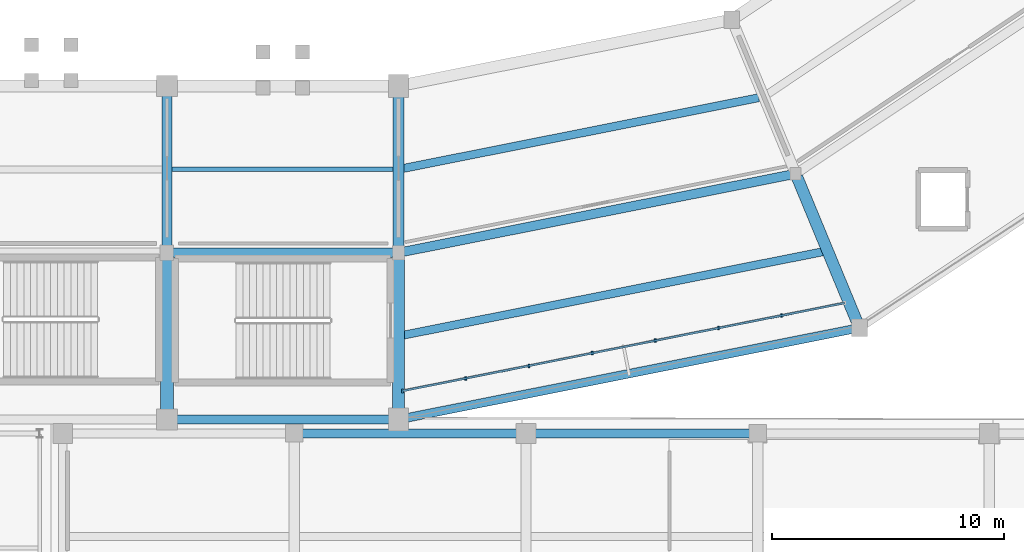
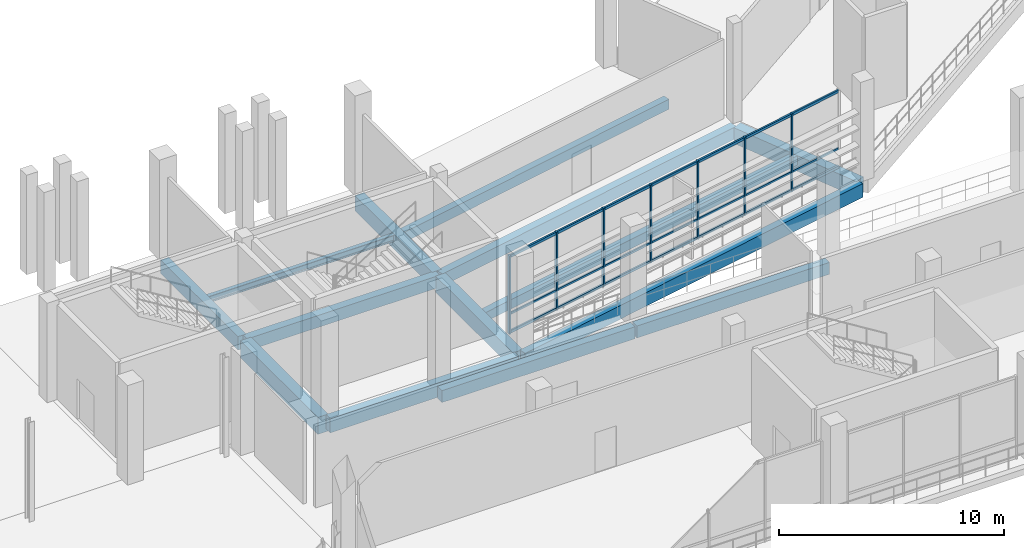
# One storey, part 34 of 114: 14 beams, 10 members, 1 element without a shape of its own.
"""IFC4 building model written with IfcOpenShell, lengths in metres."""

import ifcopenshell
import ifcopenshell.guid

model = None  # the IFC model being written
_history = None  # IfcOwnerHistory: only IFC2X3 demands one
_inside = {}  # id of a spatial element -> (the spatial element, [elements in it])
_under = {}  # id of a project, library or spatial element -> (it, [spatial elements below it])
_declared = {}  # id of a project -> (the project, [libraries it declares])
_typed = {}  # id of a type object -> (the type object, [elements of that type])
_made_of = {}  # id of a material, layer set ... -> (it, [elements and type objects made of it])


def new_model(schema):
    """Start an empty IFC model of exactly this schema.

    Asked for "IFC4X3", IfcOpenShell would pick the latest addendum, in which some entities
    have other attributes; the version numbers below select the first issue.
    IFC2X3 requires an IfcOwnerHistory on every rooted entity: one is made here for all.
    """
    global model, _history
    if schema == "IFC4X3":
        model = ifcopenshell.file(schema_version=(4, 3, 0, 0))
    else:
        model = ifcopenshell.file(schema=schema)
    _inside.clear()
    _under.clear()
    _declared.clear()
    _typed.clear()
    _made_of.clear()
    _history = None
    if model.schema == "IFC2X3":
        org = make("IfcOrganization", Name="unknown")
        user = make(
            "IfcPersonAndOrganization",
            ThePerson=make("IfcPerson", FamilyName="unknown"),
            TheOrganization=org,
        )
        app = make(
            "IfcApplication",
            ApplicationDeveloper=org,
            Version="unknown",
            ApplicationFullName="unknown",
            ApplicationIdentifier="unknown",
        )
        _history = make(
            "IfcOwnerHistory",
            OwningUser=user,
            OwningApplication=app,
            ChangeAction="ADDED",
            CreationDate=0,
        )
    return model


def make(cls, **values):
    """One entity of the class cls with the attributes given. An attribute that is None is left unset."""
    return model.create_entity(
        cls, **{name: value for name, value in values.items() if value is not None}
    )


def rooted(cls, **values):
    """An entity with a GlobalId (a new one), such as an element, a storey or a relation."""
    return make(cls, GlobalId=ifcopenshell.guid.new(), OwnerHistory=_history, **values)


def si_unit(unit_type, name, prefix=None):
    """IfcSIUnit, for example si_unit("LENGTHUNIT", "METRE", prefix="MILLI")."""
    return make("IfcSIUnit", UnitType=unit_type, Prefix=prefix, Name=name)


def assignment(units):
    """IfcUnitAssignment: the units of a project."""
    return None if units is None else make("IfcUnitAssignment", Units=units)


def point(xyz):
    """IfcCartesianPoint."""
    return None if xyz is None else make("IfcCartesianPoint", Coordinates=xyz)


def direction(xyz):
    """IfcDirection."""
    return None if xyz is None else make("IfcDirection", DirectionRatios=xyz)


def frame(location, z_axis=None, x_axis=None):
    """IfcAxis2Placement3D, a coordinate frame: its origin and axes. An axis left out is left unset."""
    return make(
        "IfcAxis2Placement3D",
        Location=point(location),
        Axis=direction(z_axis),
        RefDirection=direction(x_axis),
    )


def frame_2d(location, x_axis=None):
    """IfcAxis2Placement2D, a coordinate frame in the plane: its origin and x axis."""
    return make(
        "IfcAxis2Placement2D", Location=point(location), RefDirection=direction(x_axis)
    )


def origin():
    """The frame at (0, 0, 0) with its axes left unset."""
    return frame((0.0, 0.0, 0.0))


def origin_2d():
    """The frame at (0, 0) in the plane with its x axis left unset."""
    return frame_2d((0.0, 0.0))


def place(relative_to, where):
    """IfcLocalPlacement: puts the frame where relative to a parent placement (None: the world)."""
    return make(
        "IfcLocalPlacement", PlacementRelTo=relative_to, RelativePlacement=where
    )


def context(
    kind, dimensions, precision=None, world=None, true_north=None, identifier=None
):
    """IfcGeometricRepresentationContext, for example the 3D "Model" context."""
    return make(
        "IfcGeometricRepresentationContext",
        ContextIdentifier=identifier,
        ContextType=kind,
        CoordinateSpaceDimension=dimensions,
        Precision=precision,
        WorldCoordinateSystem=world,
        TrueNorth=true_north,
    )


def subcontext(parent, identifier, kind, view, scale=None):
    """IfcGeometricRepresentationSubContext, for example "Body" below "Model"."""
    return make(
        "IfcGeometricRepresentationSubContext",
        ContextIdentifier=identifier,
        ContextType=kind,
        ParentContext=parent,
        TargetScale=scale,
        TargetView=view,
    )


def project(units=None, contexts=None):
    """IfcProject with its units and contexts."""
    return rooted(
        "IfcProject",
        Name="project",
        RepresentationContexts=contexts,
        UnitsInContext=assignment(units),
    )


def spatial(cls, under=None, at=None, **own):
    """A site, building, storey or space (cls), placed at a placement, below another one or the project."""
    s = rooted(cls, ObjectPlacement=at, **own)
    if under is not None:
        _under.setdefault(under.id(), (under, []))[1].append(s)
    return s


def profile(cls, at=None, kind="AREA", **sizes):
    """A parametric profile (cls). Its sizes go by their IFC names, for example OverallWidth=200.0."""
    return make(cls, ProfileType=kind, Position=at, **sizes)


def rectangle(**sizes):
    """IfcRectangleProfileDef."""
    return profile("IfcRectangleProfileDef", **sizes)


def i_section(**sizes):
    """IfcIShapeProfileDef."""
    return profile("IfcIShapeProfileDef", **sizes)


def extrude(swept, where, along, depth):
    """IfcExtrudedAreaSolid: the profile swept, set in the frame where, extruded along a direction by depth."""
    return make(
        "IfcExtrudedAreaSolid",
        SweptArea=swept,
        Position=where,
        ExtrudedDirection=direction(along),
        Depth=depth,
    )


def shape(context_of_items, identifier, shape_type, items):
    """IfcShapeRepresentation: the items that make up one representation, for example the "Body"."""
    return make(
        "IfcShapeRepresentation",
        ContextOfItems=context_of_items,
        RepresentationIdentifier=identifier,
        RepresentationType=shape_type,
        Items=items,
    )


def material(Name=None, Category=None):
    """IfcMaterial."""
    return make("IfcMaterial", Name=Name, Category=Category)


def material_profile(
    of_material, cross_section, Name=None, Category=None, Priority=None
):
    """IfcMaterialProfile: a cross section and its material."""
    return make(
        "IfcMaterialProfile",
        Name=Name,
        Material=of_material,
        Profile=cross_section,
        Priority=Priority,
        Category=Category,
    )


def profile_set(profiles, Name=None, composite=None):
    """IfcMaterialProfileSet."""
    return make(
        "IfcMaterialProfileSet",
        Name=Name,
        MaterialProfiles=profiles,
        CompositeProfile=composite,
    )


def made_of(thing, what):
    """Note that an element or type object is made of a material, layer set ...; save() writes the relation."""
    if what is not None:
        _made_of.setdefault(what.id(), (what, []))[1].append(thing)
    return thing


def type_object(cls, material=None, **own):
    """A type object (cls), such as IfcWallType, which elements share."""
    return made_of(rooted(cls, **own), material)


def element(
    cls,
    number,
    at=None,
    inside=None,
    cuts=None,
    type_object=None,
    material=None,
    context=None,
    identifier="Body",
    shape_type=None,
    held_by="IfcProductDefinitionShape",
    body=None,
    shapes=None,
    **own,
):
    """One element of the class cls, such as IfcWall. Its Tag is "e" and its number.

    at: its placement. inside: the storey or other place that contains it. cuts: it is an
    opening in that element (IfcRelVoidsElement). A single representation is given by context,
    identifier, shape_type and body (its items); several are given by shapes. held_by: the class
    of the entity that holds the representations. save() writes the other relations.
    """
    e = rooted(cls, Tag="e%d" % number, ObjectPlacement=at, **own)
    if body is not None:
        shapes = [shape(context, identifier, shape_type, body)]
    if shapes is not None:
        e.Representation = make(held_by, Representations=shapes)
    if inside is not None:
        _inside.setdefault(inside.id(), (inside, []))[1].append(e)
    if cuts is not None:
        rooted(
            "IfcRelVoidsElement", RelatingBuildingElement=cuts, RelatedOpeningElement=e
        )
    if type_object is not None:
        _typed.setdefault(type_object.id(), (type_object, []))[1].append(e)
    return made_of(e, material)


def aggregate(whole, parts):
    """IfcRelAggregates: a whole, such as a stair, and the parts it consists of."""
    return rooted("IfcRelAggregates", RelatingObject=whole, RelatedObjects=parts)


def save(model, path):
    """Write the relations noted so far, then the file.

    IfcRelAggregates (storeys below a building ...), IfcRelContainedInSpatialStructure (elements
    in a storey), IfcRelDefinesByType, IfcRelAssociatesMaterial and IfcRelDeclares: one each for
    every whole, place, type object, material and project.
    """
    for whole, parts in _under.values():
        aggregate(whole, parts)
    for where, things in _inside.values():
        rooted(
            "IfcRelContainedInSpatialStructure",
            RelatedElements=things,
            RelatingStructure=where,
        )
    for kind, things in _typed.values():
        rooted("IfcRelDefinesByType", RelatedObjects=things, RelatingType=kind)
    for what, things in _made_of.values():
        rooted("IfcRelAssociatesMaterial", RelatedObjects=things, RelatingMaterial=what)
    for by, libraries in _declared.values():
        rooted("IfcRelDeclares", RelatingContext=by, RelatedDefinitions=libraries)
    model.write(path)


model = new_model("IFC4")

# Units and contexts
model_context = context("Model", 3, precision=1e-05, world=origin(), true_north=direction((0.0, 1.0)))
body_context = subcontext(model_context, "Body", "Model", "MODEL_VIEW")
ifc_project = project(units=[si_unit("LENGTHUNIT", "METRE"), si_unit("AREAUNIT", "SQUARE_METRE"), si_unit("VOLUMEUNIT", "CUBIC_METRE"), si_unit("PLANEANGLEUNIT", "RADIAN"), si_unit("MASSUNIT", "GRAM", prefix="KILO")], contexts=[model_context])

# Site, building, storey
site_placement = place(None, origin())
site = spatial("IfcSite", under=ifc_project, at=site_placement, CompositionType="ELEMENT")
building_placement = place(site_placement, origin())
building = spatial("IfcBuilding", under=site, at=building_placement, Name="Candeia Ridge Stadium", CompositionType="ELEMENT")
storey_placement = place(building_placement, frame((0.0, 0.0, 5.39990234375)))
storey = spatial("IfcBuildingStorey", under=building, at=storey_placement, Name="L01", CompositionType="ELEMENT", Elevation=5.39990234375)

# Beams
ifc_material_1 = material(Name="Concrete C40/50", Category="concrete")
ifc_material_profile_1 = material_profile(ifc_material_1, rectangle(XDim=0.35009765625, YDim=0.550048828125, at=origin_2d()), Name="RC350x550", Category="concrete")
ifc_profile_set_1 = profile_set([ifc_material_profile_1], Name="Concrete C40/50")
beam_type_1 = type_object("IfcBeamType", Name="Concourse Concrete Joist RC350x550", PredefinedType="JOIST", material=ifc_profile_set_1)
beam_1_placement = place(storey_placement, frame((141.2177734375, 29.84326171875, -0.534912109375), z_axis=(0.980784984607, 0.195091809076, 0.0), x_axis=(-0.195091809076, 0.980784984607, 0.0)))
element("IfcBeam", 1, at=beam_1_placement, inside=storey, type_object=beam_type_1, Name="Concourse secondary joist BM-L01-0191", PredefinedType="JOIST", context=body_context, shape_type="SweptSolid", body=[
    extrude(rectangle(XDim=0.35009765625, YDim=0.550048828125, at=origin_2d()), origin(), (0.0, 0.0, 1.0), 15.63134765625),
])
ifc_material_2 = material(Name="Steel ASTM A572 Grade 50", Category="steel")
ifc_material_profile_2 = material_profile(ifc_material_2, i_section(OverallWidth=0.205078125, OverallDepth=0.35400390625, WebThickness=0.009521484375, FlangeThickness=0.016845703125, FilletRadius=0.014892578125, at=origin_2d()), Name="W360x79", Category="steel")
ifc_profile_set_2 = profile_set([ifc_material_profile_2], Name="Steel ASTM A572 Grade 50")
beam_type_2 = type_object("IfcBeamType", Name="Concourse Secondary Joist W360x79", PredefinedType="JOIST", material=ifc_profile_set_2)
beam_2_placement = place(storey_placement, frame((131.221923828125, 29.800048828125, -0.43701171875), z_axis=(1.0, 0.0, 0.0), x_axis=(0.0, 1.0, 0.0)))
element("IfcBeam", 2, at=beam_2_placement, inside=storey, type_object=beam_type_2, Name="Concourse secondary joist BM-L01-0187", PredefinedType="JOIST", context=body_context, shape_type="SweptSolid", body=[
    extrude(i_section(OverallWidth=0.205078125, OverallDepth=0.35400390625, WebThickness=0.009521484375, FlangeThickness=0.016845703125, FilletRadius=0.014892578125, at=origin_2d()), origin(), (0.0, 0.0, 1.0), 9.55615234375),
])

# Curtain wall, members
ifc_material_3 = material(Name="Aluminium Anodized Warm Bronze", Category="aluminium")
curtain_wall_type = type_object("IfcCurtainWallType", Name="Concourse Recessed Unitised Curtain Wall", PredefinedType="NOTDEFINED", material=ifc_material_3)
curtain_wall_placement = place(storey_placement, origin())
curtain_wall = element("IfcCurtainWall", 3, at=curtain_wall_placement, inside=storey, type_object=curtain_wall_type, Name="Unitised curtain wall CW-BWL-L01-25", PredefinedType="NOTDEFINED")
ifc_material_profile_3 = material_profile(ifc_material_3, rectangle(XDim=0.090087890625, YDim=0.179931640625, at=origin_2d()), Name="CWM-90x180", Category="aluminium")
ifc_profile_set_3 = profile_set([ifc_material_profile_3], Name="Aluminium Anodized Warm Bronze")
member_type_1 = type_object("IfcMemberType", Name="Curtain Wall Primary Mullion 90x180", PredefinedType="MULLION", material=ifc_profile_set_3)
member_1_placement = place(storey_placement, frame((141.176513671875, 20.235107421875, 0.0), z_axis=(0.0, 0.0, 1.0), x_axis=(1.0, 0.0, 0.0)))
member_1 = element("IfcMember", 4, at=member_1_placement, type_object=member_type_1, Name="Curtain wall mullion CW-BWL-L01-25-M0", PredefinedType="MULLION", context=body_context, shape_type="SweptSolid", body=[
    extrude(rectangle(XDim=0.090087890625, YDim=0.179931640625, at=origin_2d()), origin(), (0.0, 0.0, 1.0), 4.2451171875),
])
ifc_material_profile_4 = material_profile(ifc_material_3, rectangle(XDim=0.074951171875, YDim=0.14990234375, at=origin_2d()), Name="CWM-75x150", Category="aluminium")
ifc_profile_set_4 = profile_set([ifc_material_profile_4], Name="Aluminium Anodized Warm Bronze")
member_type_2 = type_object("IfcMemberType", Name="Curtain Wall Secondary Mullion 75x150", PredefinedType="MULLION", material=ifc_profile_set_4)
member_2_placement = place(storey_placement, frame((143.9033203125, 20.777587890625, 0.0), z_axis=(0.0, 0.0, 1.0), x_axis=(1.0, 0.0, 0.0)))
member_2 = element("IfcMember", 5, at=member_2_placement, type_object=member_type_2, Name="Curtain wall mullion CW-BWL-L01-25-M1", PredefinedType="MULLION", context=body_context, shape_type="SweptSolid", body=[
    extrude(rectangle(XDim=0.074951171875, YDim=0.14990234375, at=origin_2d()), origin(), (0.0, 0.0, 1.0), 4.2451171875),
])
member_3_placement = place(storey_placement, frame((146.6298828125, 21.31982421875, 0.0), z_axis=(0.0, 0.0, 1.0), x_axis=(1.0, 0.0, 0.0)))
member_3 = element("IfcMember", 6, at=member_3_placement, type_object=member_type_2, Name="Curtain wall mullion CW-BWL-L01-25-M2", PredefinedType="MULLION", context=body_context, shape_type="SweptSolid", body=[
    extrude(rectangle(XDim=0.074951171875, YDim=0.14990234375, at=origin_2d()), origin(), (0.0, 0.0, 1.0), 4.2451171875),
])
member_4_placement = place(storey_placement, frame((149.356689453125, 21.8623046875, 0.0), z_axis=(0.0, 0.0, 1.0), x_axis=(1.0, 0.0, 0.0)))
member_4 = element("IfcMember", 7, at=member_4_placement, type_object=member_type_2, Name="Curtain wall mullion CW-BWL-L01-25-M3", PredefinedType="MULLION", context=body_context, shape_type="SweptSolid", body=[
    extrude(rectangle(XDim=0.074951171875, YDim=0.14990234375, at=origin_2d()), origin(), (0.0, 0.0, 1.0), 4.2451171875),
])
member_5_placement = place(storey_placement, frame((152.08349609375, 22.404541015625, 0.0), z_axis=(0.0, 0.0, 1.0), x_axis=(1.0, 0.0, 0.0)))
member_5 = element("IfcMember", 8, at=member_5_placement, type_object=member_type_2, Name="Curtain wall mullion CW-BWL-L01-25-M4", PredefinedType="MULLION", context=body_context, shape_type="SweptSolid", body=[
    extrude(rectangle(XDim=0.074951171875, YDim=0.14990234375, at=origin_2d()), origin(), (0.0, 0.0, 1.0), 4.2451171875),
])
member_6_placement = place(storey_placement, frame((154.810302734375, 22.947021484375, 0.0), z_axis=(0.0, 0.0, 1.0), x_axis=(1.0, 0.0, 0.0)))
member_6 = element("IfcMember", 9, at=member_6_placement, type_object=member_type_2, Name="Curtain wall mullion CW-BWL-L01-25-M5", PredefinedType="MULLION", context=body_context, shape_type="SweptSolid", body=[
    extrude(rectangle(XDim=0.074951171875, YDim=0.14990234375, at=origin_2d()), origin(), (0.0, 0.0, 1.0), 4.2451171875),
])
member_7_placement = place(storey_placement, frame((157.537109375, 23.489501953125, 0.0), z_axis=(0.0, 0.0, 1.0), x_axis=(1.0, 0.0, 0.0)))
member_7 = element("IfcMember", 10, at=member_7_placement, type_object=member_type_2, Name="Curtain wall mullion CW-BWL-L01-25-M6", PredefinedType="MULLION", context=body_context, shape_type="SweptSolid", body=[
    extrude(rectangle(XDim=0.074951171875, YDim=0.14990234375, at=origin_2d()), origin(), (0.0, 0.0, 1.0), 4.2451171875),
])
ifc_material_profile_5 = material_profile(ifc_material_3, rectangle(XDim=0.074951171875, YDim=0.110107421875, at=origin_2d()), Name="CWT-75x110", Category="aluminium")
ifc_profile_set_5 = profile_set([ifc_material_profile_5], Name="Aluminium Anodized Warm Bronze")
member_type_3 = type_object("IfcMemberType", Name="Curtain Wall Secondary Transom 75x110", PredefinedType="USERDEFINED", material=ifc_profile_set_5)
member_8_placement = place(storey_placement, frame((141.176513671875, 20.235107421875, 1.061279296875), z_axis=(0.980786160623, 0.195085896803, 0.0), x_axis=(-0.195085896803, 0.980786160623, 0.0)))
member_8 = element("IfcMember", 11, at=member_8_placement, type_object=member_type_3, Name="Curtain wall transom CW-BWL-L01-25-T1", ObjectType="TRANSOM", PredefinedType="USERDEFINED", context=body_context, shape_type="SweptSolid", body=[
    extrude(rectangle(XDim=0.074951171875, YDim=0.110107421875, at=origin_2d()), origin(), (0.0, 0.0, 1.0), 19.46142578125),
])
ifc_material_profile_6 = material_profile(ifc_material_3, rectangle(XDim=0.090087890625, YDim=0.139892578125, at=origin_2d()), Name="CWT-90x140", Category="aluminium")
ifc_profile_set_6 = profile_set([ifc_material_profile_6], Name="Aluminium Anodized Warm Bronze")
member_type_4 = type_object("IfcMemberType", Name="Curtain Wall Transom 90x140", PredefinedType="USERDEFINED", material=ifc_profile_set_6)
member_9_placement = place(storey_placement, frame((141.176513671875, 20.235107421875, 0.070068359375), z_axis=(0.980786160623, 0.195085896803, 0.0), x_axis=(-0.195085896803, 0.980786160623, 0.0)))
member_9 = element("IfcMember", 12, at=member_9_placement, type_object=member_type_4, Name="Curtain wall transom CW-BWL-L01-25-T0", ObjectType="TRANSOM", PredefinedType="USERDEFINED", context=body_context, shape_type="SweptSolid", body=[
    extrude(rectangle(XDim=0.090087890625, YDim=0.139892578125, at=origin_2d()), origin(), (0.0, 0.0, 1.0), 19.46142578125),
])
member_10_placement = place(storey_placement, frame((141.176513671875, 20.235107421875, 4.175048828125), z_axis=(0.980786160623, 0.195085896803, 0.0), x_axis=(-0.195085896803, 0.980786160623, 0.0)))
member_10 = element("IfcMember", 13, at=member_10_placement, type_object=member_type_4, Name="Curtain wall transom CW-BWL-L01-25-T2", ObjectType="TRANSOM", PredefinedType="USERDEFINED", context=body_context, shape_type="SweptSolid", body=[
    extrude(rectangle(XDim=0.090087890625, YDim=0.139892578125, at=origin_2d()), origin(), (0.0, 0.0, 1.0), 19.46142578125),
])
aggregate(curtain_wall, [member_1, member_2, member_3, member_4, member_5, member_6, member_7, member_9, member_8, member_10])

# Beams
ifc_material_profile_7 = material_profile(ifc_material_1, rectangle(XDim=0.35009765625, YDim=0.5, at=origin_2d()), Name="RC350x500", Category="concrete")
ifc_profile_set_7 = profile_set([ifc_material_profile_7], Name="Concrete C40/50")
beam_type_3 = type_object("IfcBeamType", Name="Floor Joist RC350x500", PredefinedType="JOIST", material=ifc_profile_set_7)
beam_3_placement = place(storey_placement, frame((141.2177734375, 22.643310546875, -0.510009765625), z_axis=(0.980784839623, 0.195092537954, 0.0), x_axis=(-0.195092537954, 0.980784839623, 0.0)))
element("IfcBeam", 14, at=beam_3_placement, inside=storey, type_object=beam_type_3, Name="Concourse secondary joist BM-L01-0192", PredefinedType="JOIST", context=body_context, shape_type="SweptSolid", body=[
    extrude(rectangle(XDim=0.35009765625, YDim=0.5, at=origin_2d()), origin(), (0.0, 0.0, 1.0), 18.440673828125),
])
ifc_material_profile_8 = material_profile(ifc_material_1, rectangle(XDim=0.429931640625, YDim=0.739990234375, at=origin_2d()), Name="RC430x740", Category="concrete")
ifc_profile_set_8 = profile_set([ifc_material_profile_8], Name="Concrete C40/50")
beam_type_4 = type_object("IfcBeamType", Name="Frame Girder RC430x740", PredefinedType="BEAM", material=ifc_profile_set_8)
beam_4_placement = place(storey_placement, frame((131.0, 33.239990234375, -0.6298828125), z_axis=(0.0, -1.0, 0.0), x_axis=(1.0, 0.0, 0.0)))
element("IfcBeam", 15, at=beam_4_placement, inside=storey, type_object=beam_type_4, Name="Bowl radial girder BM-L01-0049", PredefinedType="BEAM", context=body_context, shape_type="SweptSolid", body=[
    extrude(rectangle(XDim=0.429931640625, YDim=0.739990234375, at=origin_2d()), origin(), (0.0, 0.0, 1.0), 6.8798828125),
])
ifc_material_4 = material(Name="Concrete C45/55", Category="concrete")
ifc_material_profile_9 = material_profile(ifc_material_4, rectangle(XDim=0.47998046875, YDim=0.820068359375, at=origin_2d()), Name="RC480x820", Category="concrete")
ifc_profile_set_9 = profile_set([ifc_material_profile_9], Name="Concrete C45/55")
beam_type_5 = type_object("IfcBeamType", Name="Frame Girder RC480x820", PredefinedType="BEAM", material=ifc_profile_set_9)
beam_5_placement = place(storey_placement, frame((141.0, 33.239990234375, -0.669921875), z_axis=(0.0, -1.0, 0.0), x_axis=(1.0, 0.0, 0.0)))
element("IfcBeam", 16, at=beam_5_placement, inside=storey, type_object=beam_type_5, Name="Bowl radial girder BM-L01-0051", PredefinedType="BEAM", context=body_context, shape_type="SweptSolid", body=[
    extrude(rectangle(XDim=0.47998046875, YDim=0.820068359375, at=origin_2d()), origin(), (0.0, 0.0, 1.0), 6.8798828125),
])
ifc_material_profile_10 = material_profile(ifc_material_4, rectangle(XDim=0.5, YDim=0.85009765625, at=origin_2d()), Name="RC500x850", Category="concrete")
ifc_profile_set_10 = profile_set([ifc_material_profile_10], Name="Concrete C45/55")
beam_type_6 = type_object("IfcBeamType", Name="Frame Girder RC500x850", PredefinedType="BEAM", material=ifc_profile_set_10)
beam_6_placement = place(storey_placement, frame((158.20556640625, 29.46240234375, -0.684814453125), z_axis=(0.382681914982, -0.923880161031, 0.0), x_axis=(0.923880161031, 0.382681914982, 0.0)))
element("IfcBeam", 17, at=beam_6_placement, inside=storey, type_object=beam_type_6, Name="Bowl radial girder BM-L01-0054", PredefinedType="BEAM", context=body_context, shape_type="SweptSolid", body=[
    extrude(rectangle(XDim=0.5, YDim=0.85009765625, at=origin_2d()), origin(), (0.0, 0.0, 1.0), 6.8798828125),
])
ifc_material_profile_11 = material_profile(ifc_material_4, rectangle(XDim=0.52001953125, YDim=0.8798828125, at=origin_2d()), Name="RC520x880", Category="concrete")
ifc_profile_set_11 = profile_set([ifc_material_profile_11], Name="Concrete C45/55")
beam_type_7 = type_object("IfcBeamType", Name="Frame Girder RC520x880", PredefinedType="BEAM", material=ifc_profile_set_11)
beam_7_placement = place(storey_placement, frame((141.0, 26.0400390625, -0.699951171875), z_axis=(0.0, -1.0, 0.0), x_axis=(1.0, 0.0, 0.0)))
element("IfcBeam", 18, at=beam_7_placement, inside=storey, type_object=beam_type_7, Name="Bowl radial girder BM-L01-0052", PredefinedType="BEAM", context=body_context, shape_type="SweptSolid", body=[
    extrude(rectangle(XDim=0.52001953125, YDim=0.8798828125, at=origin_2d()), origin(), (0.0, 0.0, 1.0), 6.880126953125),
])
ifc_material_profile_12 = material_profile(ifc_material_4, rectangle(XDim=0.550048828125, YDim=0.919921875, at=origin_2d()), Name="RC550x920", Category="concrete")
ifc_profile_set_12 = profile_set([ifc_material_profile_12], Name="Concrete C45/55")
beam_type_8 = type_object("IfcBeamType", Name="Frame Girder RC550x920", PredefinedType="BEAM", material=ifc_profile_set_12)
beam_8_placement = place(storey_placement, frame((131.0, 26.0400390625, -0.719970703125), z_axis=(0.0, -1.0, 0.0), x_axis=(1.0, 0.0, 0.0)))
element("IfcBeam", 19, at=beam_8_placement, inside=storey, type_object=beam_type_8, Name="Bowl radial girder BM-L01-0050", PredefinedType="BEAM", context=body_context, shape_type="SweptSolid", body=[
    extrude(rectangle(XDim=0.550048828125, YDim=0.919921875, at=origin_2d()), origin(), (0.0, 0.0, 1.0), 6.880126953125),
])
ifc_material_profile_13 = material_profile(ifc_material_4, rectangle(XDim=0.3701171875, YDim=0.739990234375, at=origin_2d()), Name="RC370x740", Category="concrete")
ifc_profile_set_13 = profile_set([ifc_material_profile_13], Name="Concrete C45/55")
beam_type_9 = type_object("IfcBeamType", Name="Spandrel Beam RC370x740", PredefinedType="SPANDREL", material=ifc_profile_set_13)
beam_9_placement = place(storey_placement, frame((141.156982421875, 19.03125, -0.6298828125), z_axis=(0.980786091775, 0.195086242929, 0.0), x_axis=(-0.195086242929, 0.980786091775, 0.0)))
element("IfcBeam", 20, at=beam_9_placement, inside=storey, type_object=beam_type_9, Name="Bowl perimeter spandrel BM-L01-0190", PredefinedType="SPANDREL", context=body_context, shape_type="SweptSolid", body=[
    extrude(rectangle(XDim=0.3701171875, YDim=0.739990234375, at=origin_2d()), origin(), (0.0, 0.0, 1.0), 19.969482421875),
])
ifc_material_profile_14 = material_profile(ifc_material_4, rectangle(XDim=0.3798828125, YDim=0.780029296875, at=origin_2d()), Name="RC380x780", Category="concrete")
ifc_profile_set_14 = profile_set([ifc_material_profile_14], Name="Concrete C45/55")
beam_type_10 = type_object("IfcBeamType", Name="Spandrel Beam RC380x780", PredefinedType="SPANDREL", material=ifc_profile_set_14)
beam_10_placement = place(storey_placement, frame((131.159912109375, 19.0, -0.64990234375), z_axis=(1.0, 0.0, 0.0), x_axis=(0.0, 1.0, 0.0)))
element("IfcBeam", 21, at=beam_10_placement, inside=storey, type_object=beam_type_10, Name="Bowl perimeter spandrel BM-L01-0186", PredefinedType="SPANDREL", context=body_context, shape_type="SweptSolid", body=[
    extrude(rectangle(XDim=0.3798828125, YDim=0.780029296875, at=origin_2d()), origin(), (0.0, 0.0, 1.0), 9.68017578125),
])
ifc_material_profile_15 = material_profile(ifc_material_1, rectangle(XDim=0.39990234375, YDim=0.64990234375, at=origin_2d()), Name="RC400x650", Category="concrete")
ifc_profile_set_15 = profile_set([ifc_material_profile_15], Name="Concrete C40/50")
beam_type_11 = type_object("IfcBeamType", Name="Wing Primary Girder RC400x650", PredefinedType="BEAM", material=ifc_profile_set_15)
beam_11_placement = place(storey_placement, frame((131.050048828125, 26.199951171875, -0.5849609375), z_axis=(1.0, 0.0, 0.0), x_axis=(0.0, 1.0, 0.0)))
element("IfcBeam", 22, at=beam_11_placement, inside=storey, type_object=beam_type_11, Name="Concourse spine girder BM-L01-0185", PredefinedType="BEAM", context=body_context, shape_type="SweptSolid", body=[
    extrude(rectangle(XDim=0.39990234375, YDim=0.64990234375, at=origin_2d()), origin(), (0.0, 0.0, 1.0), 9.89990234375),
])
beam_12_placement = place(storey_placement, frame((141.049072265625, 26.209716796875, -0.5849609375), z_axis=(0.980785980309, 0.195086803319, 0.0), x_axis=(-0.195086803319, 0.980785980309, 0.0)))
element("IfcBeam", 23, at=beam_12_placement, inside=storey, type_object=beam_type_11, Name="Concourse spine girder BM-L01-0189", PredefinedType="BEAM", context=body_context, shape_type="SweptSolid", body=[
    extrude(rectangle(XDim=0.39990234375, YDim=0.64990234375, at=origin_2d()), origin(), (0.0, 0.0, 1.0), 17.380126953125),
])
for number, where, z_axis, x_axis, name in (
    (24, (136.550048828125, 18.39990234375, -0.5849609375), (1.0, 0.0, 0.0), (0.0, 1.0, 0.0), "Structural girder BM-L01-1999"),
    (25, (146.550048828125, 18.39990234375, -0.5849609375), (1.0, 0.0, 0.0), (0.0, 1.0, 0.0), "Structural girder BM-L01-2003"),
):
    element("IfcBeam", number, at=place(storey_placement, frame(where, z_axis=z_axis, x_axis=x_axis)), inside=storey, type_object=beam_type_11, Name=name, PredefinedType="BEAM", context=body_context, shape_type="SweptSolid", body=[
        extrude(rectangle(XDim=0.39990234375, YDim=0.64990234375, at=origin_2d()), origin(), (0.0, 0.0, 1.0), 9.89990234375),
    ])

save(model, "model.ifc")
